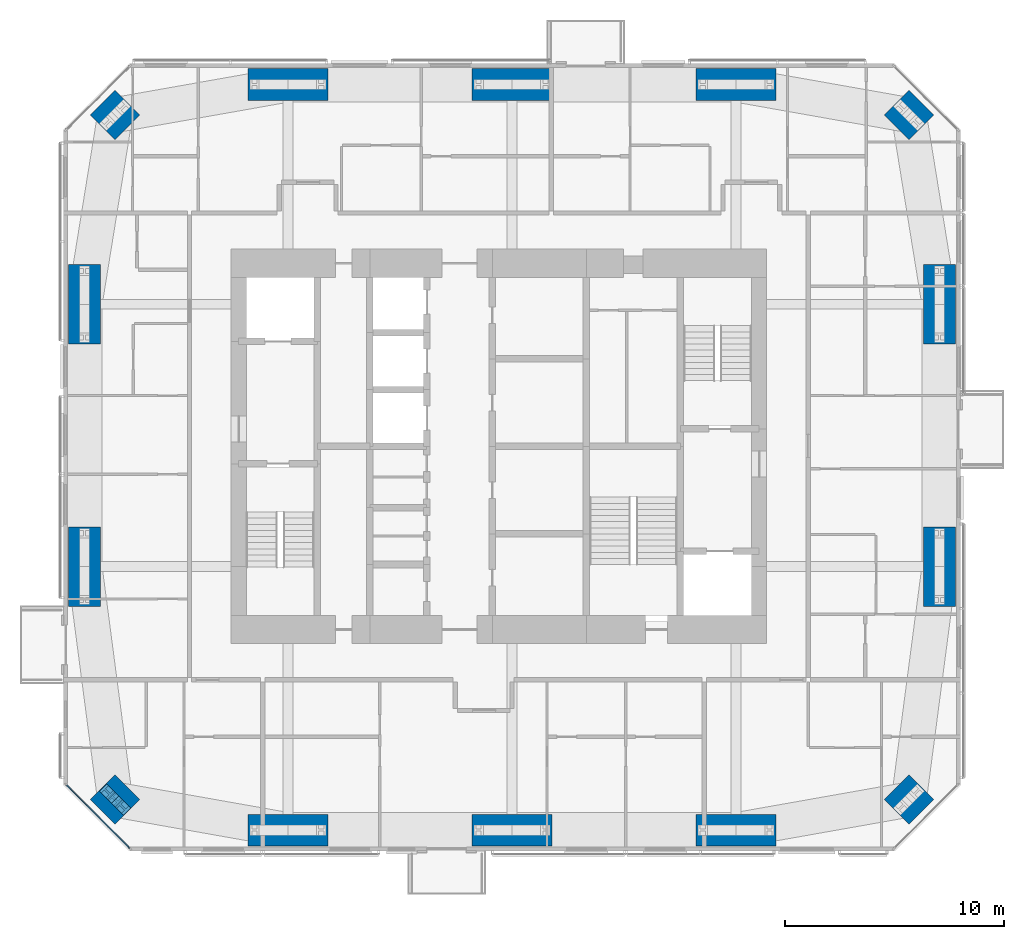
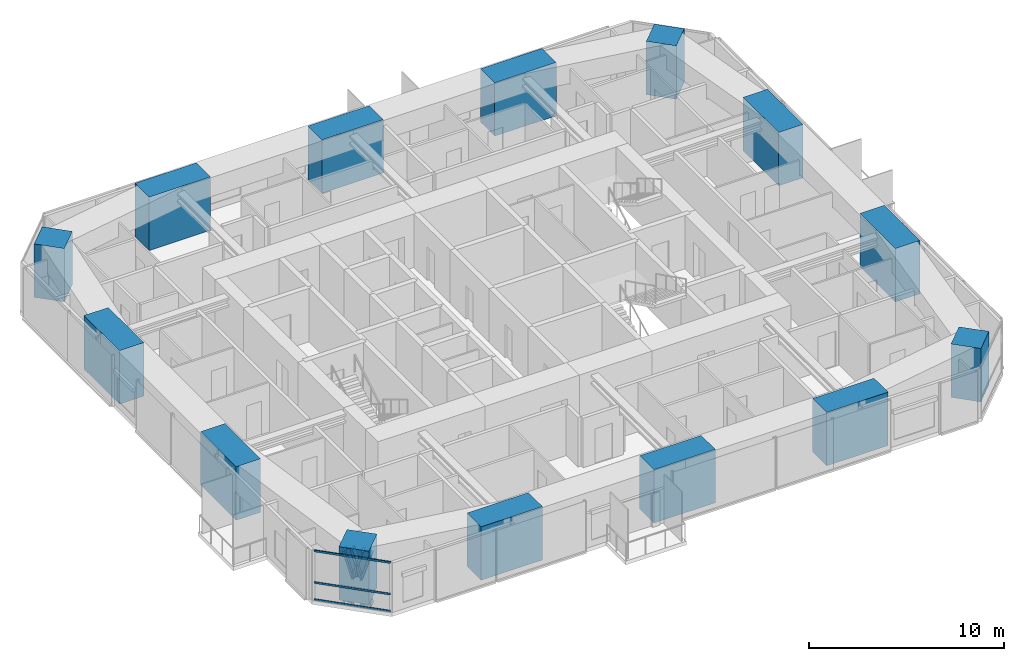
# One storey, part 1 of 23: 14 columns, 7 members, 1 element without a shape of its own.
"""IFC4 building model written with IfcOpenShell, lengths in metres."""

import ifcopenshell
import ifcopenshell.guid

model = None  # the IFC model being written
_history = None  # IfcOwnerHistory: only IFC2X3 demands one
_inside = {}  # id of a spatial element -> (the spatial element, [elements in it])
_under = {}  # id of a project, library or spatial element -> (it, [spatial elements below it])
_declared = {}  # id of a project -> (the project, [libraries it declares])
_typed = {}  # id of a type object -> (the type object, [elements of that type])
_made_of = {}  # id of a material, layer set ... -> (it, [elements and type objects made of it])


def new_model(schema):
    """Start an empty IFC model of exactly this schema.

    Asked for "IFC4X3", IfcOpenShell would pick the latest addendum, in which some entities
    have other attributes; the version numbers below select the first issue.
    IFC2X3 requires an IfcOwnerHistory on every rooted entity: one is made here for all.
    """
    global model, _history
    if schema == "IFC4X3":
        model = ifcopenshell.file(schema_version=(4, 3, 0, 0))
    else:
        model = ifcopenshell.file(schema=schema)
    _inside.clear()
    _under.clear()
    _declared.clear()
    _typed.clear()
    _made_of.clear()
    _history = None
    if model.schema == "IFC2X3":
        org = make("IfcOrganization", Name="unknown")
        user = make(
            "IfcPersonAndOrganization",
            ThePerson=make("IfcPerson", FamilyName="unknown"),
            TheOrganization=org,
        )
        app = make(
            "IfcApplication",
            ApplicationDeveloper=org,
            Version="unknown",
            ApplicationFullName="unknown",
            ApplicationIdentifier="unknown",
        )
        _history = make(
            "IfcOwnerHistory",
            OwningUser=user,
            OwningApplication=app,
            ChangeAction="ADDED",
            CreationDate=0,
        )
    return model


def make(cls, **values):
    """One entity of the class cls with the attributes given. An attribute that is None is left unset."""
    return model.create_entity(
        cls, **{name: value for name, value in values.items() if value is not None}
    )


def rooted(cls, **values):
    """An entity with a GlobalId (a new one), such as an element, a storey or a relation."""
    return make(cls, GlobalId=ifcopenshell.guid.new(), OwnerHistory=_history, **values)


def si_unit(unit_type, name, prefix=None):
    """IfcSIUnit, for example si_unit("LENGTHUNIT", "METRE", prefix="MILLI")."""
    return make("IfcSIUnit", UnitType=unit_type, Prefix=prefix, Name=name)


def assignment(units):
    """IfcUnitAssignment: the units of a project."""
    return None if units is None else make("IfcUnitAssignment", Units=units)


def point(xyz):
    """IfcCartesianPoint."""
    return None if xyz is None else make("IfcCartesianPoint", Coordinates=xyz)


def direction(xyz):
    """IfcDirection."""
    return None if xyz is None else make("IfcDirection", DirectionRatios=xyz)


def frame(location, z_axis=None, x_axis=None):
    """IfcAxis2Placement3D, a coordinate frame: its origin and axes. An axis left out is left unset."""
    return make(
        "IfcAxis2Placement3D",
        Location=point(location),
        Axis=direction(z_axis),
        RefDirection=direction(x_axis),
    )


def frame_2d(location, x_axis=None):
    """IfcAxis2Placement2D, a coordinate frame in the plane: its origin and x axis."""
    return make(
        "IfcAxis2Placement2D", Location=point(location), RefDirection=direction(x_axis)
    )


def origin():
    """The frame at (0, 0, 0) with its axes left unset."""
    return frame((0.0, 0.0, 0.0))


def origin_2d():
    """The frame at (0, 0) in the plane with its x axis left unset."""
    return frame_2d((0.0, 0.0))


def place(relative_to, where):
    """IfcLocalPlacement: puts the frame where relative to a parent placement (None: the world)."""
    return make(
        "IfcLocalPlacement", PlacementRelTo=relative_to, RelativePlacement=where
    )


def context(
    kind, dimensions, precision=None, world=None, true_north=None, identifier=None
):
    """IfcGeometricRepresentationContext, for example the 3D "Model" context."""
    return make(
        "IfcGeometricRepresentationContext",
        ContextIdentifier=identifier,
        ContextType=kind,
        CoordinateSpaceDimension=dimensions,
        Precision=precision,
        WorldCoordinateSystem=world,
        TrueNorth=true_north,
    )


def subcontext(parent, identifier, kind, view, scale=None):
    """IfcGeometricRepresentationSubContext, for example "Body" below "Model"."""
    return make(
        "IfcGeometricRepresentationSubContext",
        ContextIdentifier=identifier,
        ContextType=kind,
        ParentContext=parent,
        TargetScale=scale,
        TargetView=view,
    )


def project(units=None, contexts=None):
    """IfcProject with its units and contexts."""
    return rooted(
        "IfcProject",
        Name="project",
        RepresentationContexts=contexts,
        UnitsInContext=assignment(units),
    )


def spatial(cls, under=None, at=None, **own):
    """A site, building, storey or space (cls), placed at a placement, below another one or the project."""
    s = rooted(cls, ObjectPlacement=at, **own)
    if under is not None:
        _under.setdefault(under.id(), (under, []))[1].append(s)
    return s


def profile(cls, at=None, kind="AREA", **sizes):
    """A parametric profile (cls). Its sizes go by their IFC names, for example OverallWidth=200.0."""
    return make(cls, ProfileType=kind, Position=at, **sizes)


def rectangle(**sizes):
    """IfcRectangleProfileDef."""
    return profile("IfcRectangleProfileDef", **sizes)


def i_section(**sizes):
    """IfcIShapeProfileDef."""
    return profile("IfcIShapeProfileDef", **sizes)


def extrude(swept, where, along, depth):
    """IfcExtrudedAreaSolid: the profile swept, set in the frame where, extruded along a direction by depth."""
    return make(
        "IfcExtrudedAreaSolid",
        SweptArea=swept,
        Position=where,
        ExtrudedDirection=direction(along),
        Depth=depth,
    )


def shape(context_of_items, identifier, shape_type, items):
    """IfcShapeRepresentation: the items that make up one representation, for example the "Body"."""
    return make(
        "IfcShapeRepresentation",
        ContextOfItems=context_of_items,
        RepresentationIdentifier=identifier,
        RepresentationType=shape_type,
        Items=items,
    )


def material(Name=None, Category=None):
    """IfcMaterial."""
    return make("IfcMaterial", Name=Name, Category=Category)


def material_profile(
    of_material, cross_section, Name=None, Category=None, Priority=None
):
    """IfcMaterialProfile: a cross section and its material."""
    return make(
        "IfcMaterialProfile",
        Name=Name,
        Material=of_material,
        Profile=cross_section,
        Priority=Priority,
        Category=Category,
    )


def profile_set(profiles, Name=None, composite=None):
    """IfcMaterialProfileSet."""
    return make(
        "IfcMaterialProfileSet",
        Name=Name,
        MaterialProfiles=profiles,
        CompositeProfile=composite,
    )


def made_of(thing, what):
    """Note that an element or type object is made of a material, layer set ...; save() writes the relation."""
    if what is not None:
        _made_of.setdefault(what.id(), (what, []))[1].append(thing)
    return thing


def type_object(cls, material=None, **own):
    """A type object (cls), such as IfcWallType, which elements share."""
    return made_of(rooted(cls, **own), material)


def element(
    cls,
    number,
    at=None,
    inside=None,
    cuts=None,
    type_object=None,
    material=None,
    context=None,
    identifier="Body",
    shape_type=None,
    held_by="IfcProductDefinitionShape",
    body=None,
    shapes=None,
    **own,
):
    """One element of the class cls, such as IfcWall. Its Tag is "e" and its number.

    at: its placement. inside: the storey or other place that contains it. cuts: it is an
    opening in that element (IfcRelVoidsElement). A single representation is given by context,
    identifier, shape_type and body (its items); several are given by shapes. held_by: the class
    of the entity that holds the representations. save() writes the other relations.
    """
    e = rooted(cls, Tag="e%d" % number, ObjectPlacement=at, **own)
    if body is not None:
        shapes = [shape(context, identifier, shape_type, body)]
    if shapes is not None:
        e.Representation = make(held_by, Representations=shapes)
    if inside is not None:
        _inside.setdefault(inside.id(), (inside, []))[1].append(e)
    if cuts is not None:
        rooted(
            "IfcRelVoidsElement", RelatingBuildingElement=cuts, RelatedOpeningElement=e
        )
    if type_object is not None:
        _typed.setdefault(type_object.id(), (type_object, []))[1].append(e)
    return made_of(e, material)


def aggregate(whole, parts):
    """IfcRelAggregates: a whole, such as a stair, and the parts it consists of."""
    return rooted("IfcRelAggregates", RelatingObject=whole, RelatedObjects=parts)


def save(model, path):
    """Write the relations noted so far, then the file.

    IfcRelAggregates (storeys below a building ...), IfcRelContainedInSpatialStructure (elements
    in a storey), IfcRelDefinesByType, IfcRelAssociatesMaterial and IfcRelDeclares: one each for
    every whole, place, type object, material and project.
    """
    for whole, parts in _under.values():
        aggregate(whole, parts)
    for where, things in _inside.values():
        rooted(
            "IfcRelContainedInSpatialStructure",
            RelatedElements=things,
            RelatingStructure=where,
        )
    for kind, things in _typed.values():
        rooted("IfcRelDefinesByType", RelatedObjects=things, RelatingType=kind)
    for what, things in _made_of.values():
        rooted("IfcRelAssociatesMaterial", RelatedObjects=things, RelatingMaterial=what)
    for by, libraries in _declared.values():
        rooted("IfcRelDeclares", RelatingContext=by, RelatedDefinitions=libraries)
    model.write(path)


model = new_model("IFC4")

# Units and contexts
model_context = context("Model", 3, precision=1e-05, world=origin(), true_north=direction((0.0, 1.0)))
body_context = subcontext(model_context, "Body", "Model", "MODEL_VIEW")
ifc_project = project(units=[si_unit("LENGTHUNIT", "METRE"), si_unit("AREAUNIT", "SQUARE_METRE"), si_unit("VOLUMEUNIT", "CUBIC_METRE"), si_unit("PLANEANGLEUNIT", "RADIAN"), si_unit("MASSUNIT", "GRAM", prefix="KILO")], contexts=[model_context])

# Site, building, storey
site_placement = place(None, origin())
site = spatial("IfcSite", under=ifc_project, at=site_placement, CompositionType="ELEMENT")
building_placement = place(site_placement, origin())
building = spatial("IfcBuilding", under=site, at=building_placement, Name="Jalousie Tower", CompositionType="ELEMENT")
storey_placement = place(building_placement, frame((0.0, 0.0, 194.550048828125)))
storey = spatial("IfcBuildingStorey", under=building, at=storey_placement, Name="L53", CompositionType="ELEMENT", Elevation=194.550048828125)

# Columns
ifc_material_1 = material(Name="Concrete f'c 120 MPa", Category="concrete")
ifc_material_profile_1 = material_profile(ifc_material_1, rectangle(XDim=1.449951171875, YDim=3.64990234375, at=origin_2d()), Name="RC 1450x3650")
ifc_profile_set_1 = profile_set([ifc_material_profile_1], Name="Concrete f'c 120 MPa")
column_type_1 = type_object("IfcColumnType", Name="RC COLUMN 1450x3650", PredefinedType="COLUMN", material=ifc_profile_set_1)
for number, where, z_axis, x_axis, name in (
    (1, (22.25, 0.949951171875, 0.0), (0.0, 0.0, 1.0), (0.0, 1.0, 0.0), "Column 02 L53"),
    (2, (32.5, 0.949951171875, 0.0), (0.0, 0.0, 1.0), (0.0, 1.0, 0.0), "Column 03 L53"),
    (3, (42.75, 0.949951171875, 0.0), (0.0, 0.0, 1.0), (0.0, 1.0, 0.0), "Column 04 L53"),
    (4, (52.050048828125, 13.0, 0.0), (0.0, 0.0, 1.0), (1.0, 0.0, 0.0), "Column 06 L53"),
    (5, (52.050048828125, 25.0, 0.0), (0.0, 0.0, 1.0), (1.0, 0.0, 0.0), "Column 07 L53"),
    (6, (42.75, 35.050048828125, 0.0), (0.0, 0.0, 1.0), (0.0, 1.0, 0.0), "Column 09 L53"),
    (7, (32.5, 35.050048828125, 0.0), (0.0, 0.0, 1.0), (0.0, 1.0, 0.0), "Column 10 L53"),
    (8, (22.25, 35.050048828125, 0.0), (0.0, 0.0, 1.0), (0.0, 1.0, 0.0), "Column 11 L53"),
    (9, (12.949951171875, 25.0, 0.0), (0.0, 0.0, 1.0), (1.0, 0.0, 0.0), "Column 13 L53"),
    (10, (12.949951171875, 13.0, 0.0), (0.0, 0.0, 1.0), (1.0, 0.0, 0.0), "Column 14 L53"),
):
    element("IfcColumn", number, at=place(storey_placement, frame(where, z_axis=z_axis, x_axis=x_axis)), inside=storey, type_object=column_type_1, Name=name, PredefinedType="COLUMN", context=body_context, shape_type="SweptSolid", body=[
        extrude(rectangle(XDim=1.449951171875, YDim=3.64990234375, at=origin_2d()), origin(), (0.0, 0.0, 1.0), 3.349853515625),
    ])
ifc_material_2 = material(Name="Concrete f'c 120 MPa", Category="concrete")
ifc_material_profile_2 = material_profile(ifc_material_2, rectangle(XDim=1.60009765625, YDim=1.60009765625, at=origin_2d()), Name="RC 1600x1600")
ifc_profile_set_2 = profile_set([ifc_material_profile_2], Name="Concrete f'c 120 MPa")
column_type_2 = type_object("IfcColumnType", Name="RC COLUMN 1600x1600", PredefinedType="COLUMN", material=ifc_profile_set_2)
for number, where, z_axis, x_axis, name in (
    (11, (14.348388671875, 2.348388671875, 0.0), (0.0, 0.0, 1.0), (0.707106781187, 0.707106781187, 0.0), "Column 01 L53"),
    (12, (50.651611328125, 2.348388671875, 0.0), (0.0, 0.0, 1.0), (0.707106781187, 0.707106781187, 0.0), "Column 05 L53"),
    (13, (50.651611328125, 33.651611328125, 0.0), (0.0, 0.0, 1.0), (0.707106781187, 0.707106781187, 0.0), "Column 08 L53"),
    (14, (14.348388671875, 33.651611328125, 0.0), (0.0, 0.0, 1.0), (0.707106781187, 0.707106781187, 0.0), "Column 12 L53"),
):
    element("IfcColumn", number, at=place(storey_placement, frame(where, z_axis=z_axis, x_axis=x_axis)), inside=storey, type_object=column_type_2, Name=name, PredefinedType="COLUMN", context=body_context, shape_type="SweptSolid", body=[
        extrude(rectangle(XDim=1.60009765625, YDim=1.60009765625, at=origin_2d()), origin(), (0.0, 0.0, 1.0), 3.349853515625),
    ])

# Curtain wall, members
ifc_material_3 = material(Name="Aluminium curtain wall", Category="aluminium")
curtain_wall_type = type_object("IfcCurtainWallType", Name="CORNER WINDOW WALL", PredefinedType="USERDEFINED", material=ifc_material_3)
curtain_wall_placement = place(storey_placement, origin())
curtain_wall = element("IfcCurtainWall", 15, at=curtain_wall_placement, inside=storey, type_object=curtain_wall_type, Name="Corner Window Wall L53 8", ObjectType="CORNER WINDOW WALL", PredefinedType="USERDEFINED")
ifc_material_4 = material(Name="Aluminium transom", Category="aluminium")
ifc_material_profile_3 = material_profile(ifc_material_4, rectangle(XDim=0.06005859375, YDim=0.1201171875, at=origin_2d()), Name="TRANSOM 60x120")
ifc_profile_set_3 = profile_set([ifc_material_profile_3], Name="Aluminium transom")
member_type_1 = type_object("IfcMemberType", Name="CORNER WINDOW WALL TRANSOM", PredefinedType="USERDEFINED", material=ifc_profile_set_3)
member_1_placement = place(storey_placement, frame((12.1298828125, 3.0087890625, 0.030029296875), z_axis=(0.707106781187, -0.707106781187, 0.0), x_axis=(0.707106781187, 0.707106781187, 0.0)))
member_1 = element("IfcMember", 16, at=member_1_placement, type_object=member_type_1, Name="CW-C transom 1.1", ObjectType="TRANSOM", PredefinedType="USERDEFINED", context=body_context, shape_type="SweptSolid", body=[
    extrude(rectangle(XDim=0.06005859375, YDim=0.1201171875, at=origin_2d()), origin(), (0.0, 0.0, 1.0), 4.0712890625),
])
member_2_placement = place(storey_placement, frame((12.1298828125, 3.0087890625, 1.099853515625), z_axis=(0.707106781187, -0.707106781187, 0.0), x_axis=(0.707106781187, 0.707106781187, 0.0)))
member_2 = element("IfcMember", 17, at=member_2_placement, type_object=member_type_1, Name="CW-C transom 1.2", ObjectType="TRANSOM", PredefinedType="USERDEFINED", context=body_context, shape_type="SweptSolid", body=[
    extrude(rectangle(XDim=0.06005859375, YDim=0.1201171875, at=origin_2d()), origin(), (0.0, 0.0, 1.0), 4.0712890625),
])
member_3_placement = place(storey_placement, frame((12.1298828125, 3.0087890625, 3.079833984375), z_axis=(0.707106781187, -0.707106781187, 0.0), x_axis=(0.707106781187, 0.707106781187, 0.0)))
member_3 = element("IfcMember", 18, at=member_3_placement, type_object=member_type_1, Name="CW-C transom 1.3", ObjectType="TRANSOM", PredefinedType="USERDEFINED", context=body_context, shape_type="SweptSolid", body=[
    extrude(rectangle(XDim=0.06005859375, YDim=0.1201171875, at=origin_2d()), origin(), (0.0, 0.0, 1.0), 4.0712890625),
])
aggregate(curtain_wall, [member_1, member_2, member_3])

# Members
ifc_material_5 = material(Name="Steel ASTM A992 Grade 50", Category="steel")
ifc_material_profile_4 = material_profile(ifc_material_5, i_section(OverallWidth=0.472412109375, OverallDepth=0.5791015625, WebThickness=0.094970703125, FlangeThickness=0.1298828125, at=origin_2d()), Name="W14X808")
ifc_profile_set_4 = profile_set([ifc_material_profile_4], Name="Steel ASTM A992 Grade 50")
member_type_2 = type_object("IfcMemberType", Name="PERIMETER BRACE W14X808", PredefinedType="BRACE", material=ifc_profile_set_4)
for number, where, z_axis, x_axis, name in (
    (19, (13.9951171875, 2.7021484375, -0.60009765625), (0.202092742837, -0.202372069365, 0.958229653493), (0.707594945859, 0.706618279267, 0.0), "Perimeter brace 01 L53 part 1"),
    (20, (14.348388671875, 2.348388671875, 1.074951171875), (0.202372069365, -0.202092742837, 0.958229653493), (0.706618279267, 0.707594945859, 0.0), "Perimeter brace 01 L53 part 2"),
    (21, (14.7021484375, 1.9951171875, -0.60009765625), (-0.202372069365, 0.202092742837, 0.958229653493), (-0.706618279267, -0.707594945859, 0.0), "Perimeter brace 01 L53 part 3"),
    (22, (14.348388671875, 2.348388671875, 1.074951171875), (-0.202092742837, 0.202372069365, 0.958229653493), (-0.707594945859, -0.706618279267, 0.0), "Perimeter brace 01 L53 part 4"),
):
    element("IfcMember", number, at=place(storey_placement, frame(where, z_axis=z_axis, x_axis=x_axis)), inside=storey, type_object=member_type_2, Name=name, PredefinedType="BRACE", context=body_context, shape_type="SweptSolid", body=[
        extrude(i_section(OverallWidth=0.472412109375, OverallDepth=0.5791015625, WebThickness=0.094970703125, FlangeThickness=0.1298828125, at=origin_2d()), origin(), (0.0, 0.0, 1.0), 1.748046875),
    ])

save(model, "model.ifc")
